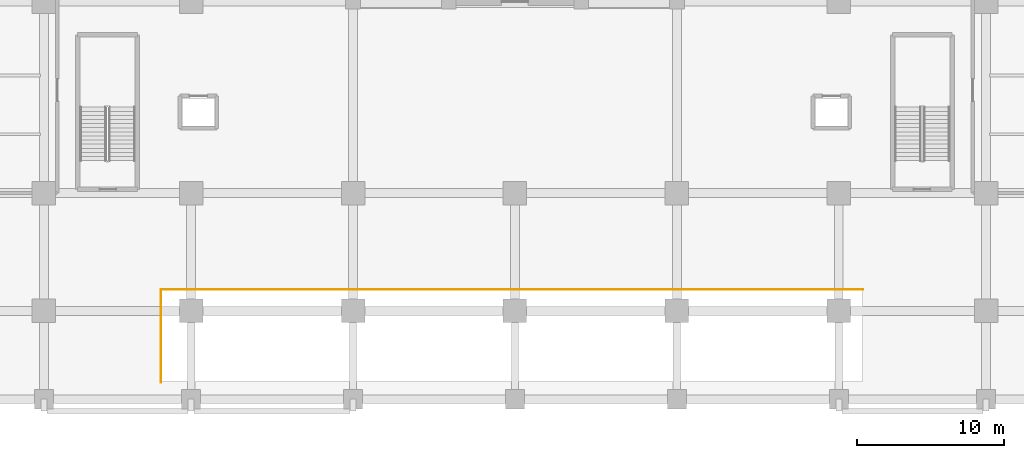
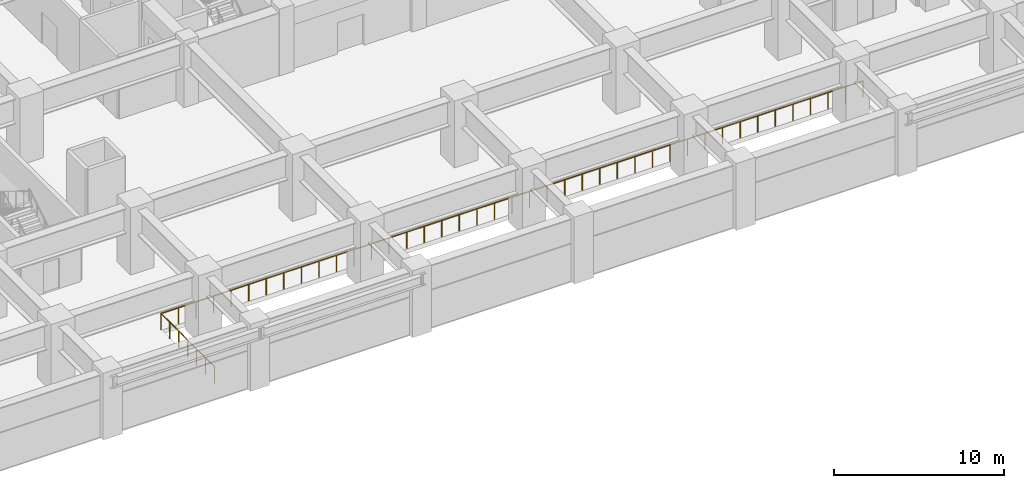
# One storey, part 10 of 13: 1 railing.
"""IFC4 building model written with IfcOpenShell, lengths in metres."""

from ifc_helpers import new_model, si_unit, direction, frame, origin, origin_2d, place, context, subcontext, project, spatial, circle, extrude, source, transform, mapped, material, type_object, element, save


model = new_model("IFC4")

# Units and contexts
model_context = context("Model", 3, precision=1e-05, world=origin(), true_north=direction((0.0, 1.0)))
body_context = subcontext(model_context, "Body", "Model", "MODEL_VIEW")
ifc_project = project(units=[si_unit("LENGTHUNIT", "METRE"), si_unit("AREAUNIT", "SQUARE_METRE"), si_unit("VOLUMEUNIT", "CUBIC_METRE"), si_unit("PLANEANGLEUNIT", "RADIAN"), si_unit("MASSUNIT", "GRAM", prefix="KILO")], contexts=[model_context])

# Site, building, storey
site_placement = place(None, origin())
site = spatial("IfcSite", under=ifc_project, at=site_placement, CompositionType="ELEMENT")
building_placement = place(site_placement, origin())
building = spatial("IfcBuilding", under=site, at=building_placement, Name="Khorayat Bourse Tower", CompositionType="ELEMENT")
storey_placement = place(building_placement, frame((0.0, 0.0, -4.800048828125)))
storey = spatial("IfcBuildingStorey", under=building, at=storey_placement, Name="B01", CompositionType="ELEMENT", Elevation=-4.800048828125)

# Railing
ifc_material = material(Name="Powder-coated steel balustrade", Category="steel")
railing_type = type_object("IfcRailingType", Name="RLG-GUARD-1200", PredefinedType="GUARDRAIL", material=ifc_material)
shared_shape = source(origin(), body_context, "Body", "SweptSolid", [
    extrude(circle(Radius=0.02392578125, at=origin_2d()), frame((0.0, 0.0, 1.17578125), z_axis=(0.0, 1.0, 0.0), x_axis=(-1.0, 0.0, 0.0)), (0.0, 0.0, 1.0), 6.300048828125),
    extrude(circle(Radius=0.02392578125, at=origin_2d()), frame((0.0, 6.300048828125, 1.17578125), z_axis=(1.0, 0.0, 0.0), x_axis=(0.0, 1.0, 0.0)), (0.0, 0.0, 1.0), 47.699951171875),
    extrude(circle(Radius=0.02099609375, at=origin_2d()), origin(), (0.0, 0.0, 1.0), 1.15185546875),
    extrude(circle(Radius=0.02099609375, at=origin_2d()), frame((0.0, 1.050048828125, 0.0)), (0.0, 0.0, 1.0), 1.15185546875),
    extrude(circle(Radius=0.02099609375, at=origin_2d()), frame((0.0, 2.10009765625, 0.0)), (0.0, 0.0, 1.0), 1.15185546875),
    extrude(circle(Radius=0.02099609375, at=origin_2d()), frame((0.0, 3.14990234375, 0.0)), (0.0, 0.0, 1.0), 1.15185546875),
    extrude(circle(Radius=0.02099609375, at=origin_2d()), frame((0.0, 4.199951171875, 0.0)), (0.0, 0.0, 1.0), 1.15185546875),
    extrude(circle(Radius=0.02099609375, at=origin_2d()), frame((0.0, 5.25, 0.0)), (0.0, 0.0, 1.0), 1.15185546875),
    extrude(circle(Radius=0.02099609375, at=origin_2d()), frame((0.0, 6.300048828125, 0.0)), (0.0, 0.0, 1.0), 1.15185546875),
    extrude(circle(Radius=0.02099609375, at=origin_2d()), frame((1.1923828125, 6.300048828125, 0.0)), (0.0, 0.0, 1.0), 1.15185546875),
    extrude(circle(Radius=0.02099609375, at=origin_2d()), frame((2.385009765625, 6.300048828125, 0.0)), (0.0, 0.0, 1.0), 1.15185546875),
    extrude(circle(Radius=0.02099609375, at=origin_2d()), frame((3.577392578125, 6.300048828125, 0.0)), (0.0, 0.0, 1.0), 1.15185546875),
    extrude(circle(Radius=0.02099609375, at=origin_2d()), frame((4.77001953125, 6.300048828125, 0.0)), (0.0, 0.0, 1.0), 1.15185546875),
    extrude(circle(Radius=0.02099609375, at=origin_2d()), frame((5.96240234375, 6.300048828125, 0.0)), (0.0, 0.0, 1.0), 1.15185546875),
    extrude(circle(Radius=0.02099609375, at=origin_2d()), frame((7.155029296875, 6.300048828125, 0.0)), (0.0, 0.0, 1.0), 1.15185546875),
    extrude(circle(Radius=0.02099609375, at=origin_2d()), frame((8.347412109375, 6.300048828125, 0.0)), (0.0, 0.0, 1.0), 1.15185546875),
    extrude(circle(Radius=0.02099609375, at=origin_2d()), frame((9.5400390625, 6.300048828125, 0.0)), (0.0, 0.0, 1.0), 1.15185546875),
    extrude(circle(Radius=0.02099609375, at=origin_2d()), frame((10.732421875, 6.300048828125, 0.0)), (0.0, 0.0, 1.0), 1.15185546875),
    extrude(circle(Radius=0.02099609375, at=origin_2d()), frame((11.925048828125, 6.300048828125, 0.0)), (0.0, 0.0, 1.0), 1.15185546875),
    extrude(circle(Radius=0.02099609375, at=origin_2d()), frame((13.117431640625, 6.300048828125, 0.0)), (0.0, 0.0, 1.0), 1.15185546875),
    extrude(circle(Radius=0.02099609375, at=origin_2d()), frame((14.31005859375, 6.300048828125, 0.0)), (0.0, 0.0, 1.0), 1.15185546875),
    extrude(circle(Radius=0.02099609375, at=origin_2d()), frame((15.50244140625, 6.300048828125, 0.0)), (0.0, 0.0, 1.0), 1.15185546875),
    extrude(circle(Radius=0.02099609375, at=origin_2d()), frame((16.695068359375, 6.300048828125, 0.0)), (0.0, 0.0, 1.0), 1.15185546875),
    extrude(circle(Radius=0.02099609375, at=origin_2d()), frame((17.887451171875, 6.300048828125, 0.0)), (0.0, 0.0, 1.0), 1.15185546875),
    extrude(circle(Radius=0.02099609375, at=origin_2d()), frame((19.080078125, 6.300048828125, 0.0)), (0.0, 0.0, 1.0), 1.15185546875),
    extrude(circle(Radius=0.02099609375, at=origin_2d()), frame((20.2724609375, 6.300048828125, 0.0)), (0.0, 0.0, 1.0), 1.15185546875),
    extrude(circle(Radius=0.02099609375, at=origin_2d()), frame((21.465087890625, 6.300048828125, 0.0)), (0.0, 0.0, 1.0), 1.15185546875),
    extrude(circle(Radius=0.02099609375, at=origin_2d()), frame((22.657470703125, 6.300048828125, 0.0)), (0.0, 0.0, 1.0), 1.15185546875),
    extrude(circle(Radius=0.02099609375, at=origin_2d()), frame((23.85009765625, 6.300048828125, 0.0)), (0.0, 0.0, 1.0), 1.15185546875),
    extrude(circle(Radius=0.02099609375, at=origin_2d()), frame((25.04248046875, 6.300048828125, 0.0)), (0.0, 0.0, 1.0), 1.15185546875),
    extrude(circle(Radius=0.02099609375, at=origin_2d()), frame((26.23486328125, 6.300048828125, 0.0)), (0.0, 0.0, 1.0), 1.15185546875),
    extrude(circle(Radius=0.02099609375, at=origin_2d()), frame((27.427490234375, 6.300048828125, 0.0)), (0.0, 0.0, 1.0), 1.15185546875),
    extrude(circle(Radius=0.02099609375, at=origin_2d()), frame((28.619873046875, 6.300048828125, 0.0)), (0.0, 0.0, 1.0), 1.15185546875),
    extrude(circle(Radius=0.02099609375, at=origin_2d()), frame((29.8125, 6.300048828125, 0.0)), (0.0, 0.0, 1.0), 1.15185546875),
    extrude(circle(Radius=0.02099609375, at=origin_2d()), frame((31.0048828125, 6.300048828125, 0.0)), (0.0, 0.0, 1.0), 1.15185546875),
    extrude(circle(Radius=0.02099609375, at=origin_2d()), frame((32.197509765625, 6.300048828125, 0.0)), (0.0, 0.0, 1.0), 1.15185546875),
    extrude(circle(Radius=0.02099609375, at=origin_2d()), frame((33.389892578125, 6.300048828125, 0.0)), (0.0, 0.0, 1.0), 1.15185546875),
    extrude(circle(Radius=0.02099609375, at=origin_2d()), frame((34.58251953125, 6.300048828125, 0.0)), (0.0, 0.0, 1.0), 1.15185546875),
    extrude(circle(Radius=0.02099609375, at=origin_2d()), frame((35.77490234375, 6.300048828125, 0.0)), (0.0, 0.0, 1.0), 1.15185546875),
    extrude(circle(Radius=0.02099609375, at=origin_2d()), frame((36.967529296875, 6.300048828125, 0.0)), (0.0, 0.0, 1.0), 1.15185546875),
    extrude(circle(Radius=0.02099609375, at=origin_2d()), frame((38.159912109375, 6.300048828125, 0.0)), (0.0, 0.0, 1.0), 1.15185546875),
    extrude(circle(Radius=0.02099609375, at=origin_2d()), frame((39.3525390625, 6.300048828125, 0.0)), (0.0, 0.0, 1.0), 1.15185546875),
    extrude(circle(Radius=0.02099609375, at=origin_2d()), frame((40.544921875, 6.300048828125, 0.0)), (0.0, 0.0, 1.0), 1.15185546875),
    extrude(circle(Radius=0.02099609375, at=origin_2d()), frame((41.737548828125, 6.300048828125, 0.0)), (0.0, 0.0, 1.0), 1.15185546875),
    extrude(circle(Radius=0.02099609375, at=origin_2d()), frame((42.929931640625, 6.300048828125, 0.0)), (0.0, 0.0, 1.0), 1.15185546875),
    extrude(circle(Radius=0.02099609375, at=origin_2d()), frame((44.12255859375, 6.300048828125, 0.0)), (0.0, 0.0, 1.0), 1.15185546875),
    extrude(circle(Radius=0.02099609375, at=origin_2d()), frame((45.31494140625, 6.300048828125, 0.0)), (0.0, 0.0, 1.0), 1.15185546875),
    extrude(circle(Radius=0.02099609375, at=origin_2d()), frame((46.507568359375, 6.300048828125, 0.0)), (0.0, 0.0, 1.0), 1.15185546875),
    extrude(circle(Radius=0.02099609375, at=origin_2d()), frame((47.699951171875, 6.300048828125, 0.0)), (0.0, 0.0, 1.0), 1.15185546875),
])
railing_placement = place(storey_placement, frame((-24.050048828125, -36.85009765625, 0.0)))
element("IfcRailing", 1, at=railing_placement, inside=storey, type_object=railing_type, Name="B01 Ramp Opening Edge Guard", PredefinedType="GUARDRAIL", context=body_context, shape_type="MappedRepresentation", body=[
    mapped(shared_shape, transform((0.0, 0.0, 0.0), scale=1.0)),
])

save(model, "model.ifc")
